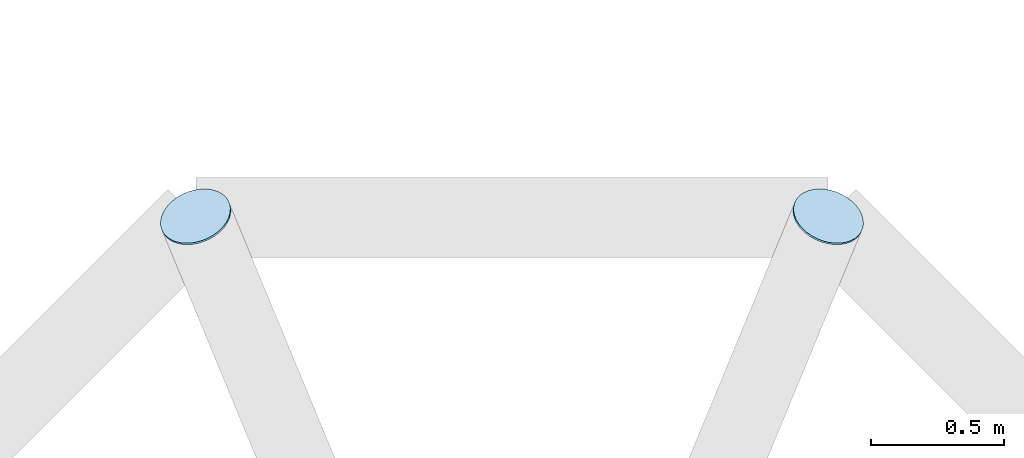
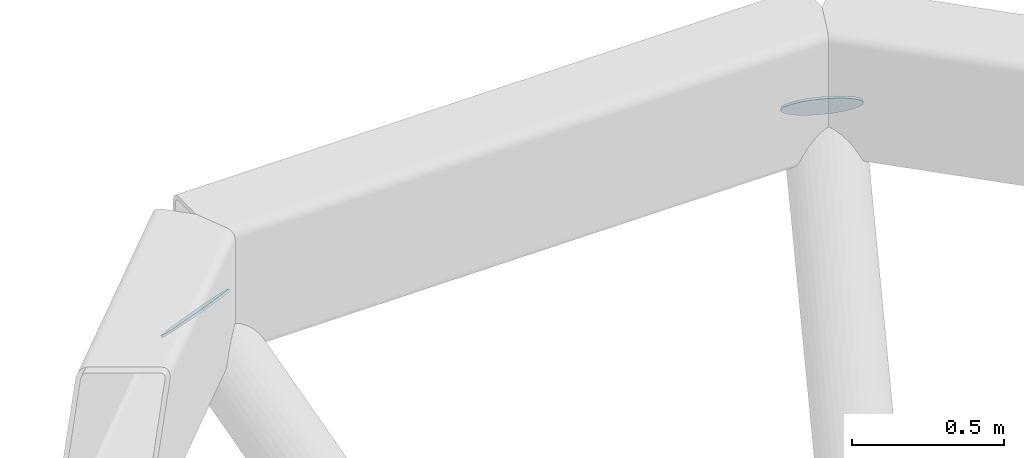
# One storey, part 27 of 42: 2 plates.
"""IFC4 building model written with IfcOpenShell, lengths in metres."""

from ifc_helpers import new_model, si_unit, direction, frame, origin, origin_2d, place, context, subcontext, project, spatial, circle, extrude, material, material_profile, profile_set, type_object, element, save


model = new_model("IFC4")

# Units and contexts
model_context = context("Model", 3, precision=1e-05, world=origin(), true_north=direction((0.0, 1.0)))
body_context = subcontext(model_context, "Body", "Model", "MODEL_VIEW")
ifc_project = project(units=[si_unit("LENGTHUNIT", "METRE"), si_unit("AREAUNIT", "SQUARE_METRE"), si_unit("VOLUMEUNIT", "CUBIC_METRE"), si_unit("PLANEANGLEUNIT", "RADIAN"), si_unit("MASSUNIT", "GRAM", prefix="KILO")], contexts=[model_context])

# Site, building, storey
site_placement = place(None, origin())
site = spatial("IfcSite", under=ifc_project, at=site_placement, CompositionType="ELEMENT")
building_placement = place(site_placement, origin())
building = spatial("IfcBuilding", under=site, at=building_placement, Name="Magnolia Steps Interchange", CompositionType="ELEMENT")
storey_placement = place(building_placement, frame((0.0, 0.0, 12.60009765625)))
storey = spatial("IfcBuildingStorey", under=building, at=storey_placement, Name="L03", CompositionType="ELEMENT", Elevation=12.60009765625)

# Plates
ifc_material = material(Name="Steel Q355B", Category="steel")
ifc_material_profile = material_profile(ifc_material, circle(Radius=0.136474609375, at=origin_2d()), Name="End plate CHS273x14")
ifc_profile_set = profile_set([ifc_material_profile], Name="Steel Q355B")
plate_type = type_object("IfcPlateType", Name="End plate CHS273x14", PredefinedType="SHEET", material=ifc_profile_set)
for number, where, z_axis, x_axis, name in (
    (1, (108.38623046875, 77.6640625, 3.325439453125), (0.275279424158, 0.664583318381, 0.694658370398), (-0.923879532336, 0.382683432789, 0.0), "End plate Tree rib"),
    (2, (106.013671875, 77.6640625, 3.325439453125), (-0.275279424158, 0.664583318381, 0.694658370398), (-0.923879532336, -0.382683432789, 0.0), "End plate Tree rib"),
):
    element("IfcPlate", number, at=place(storey_placement, frame(where, z_axis=z_axis, x_axis=x_axis)), inside=storey, type_object=plate_type, Name=name, PredefinedType="SHEET", context=body_context, shape_type="SweptSolid", body=[
        extrude(circle(Radius=0.136474609375, at=origin_2d()), origin(), (0.0, 0.0, 1.0), 0.008056640625),
    ])

save(model, "model.ifc")
